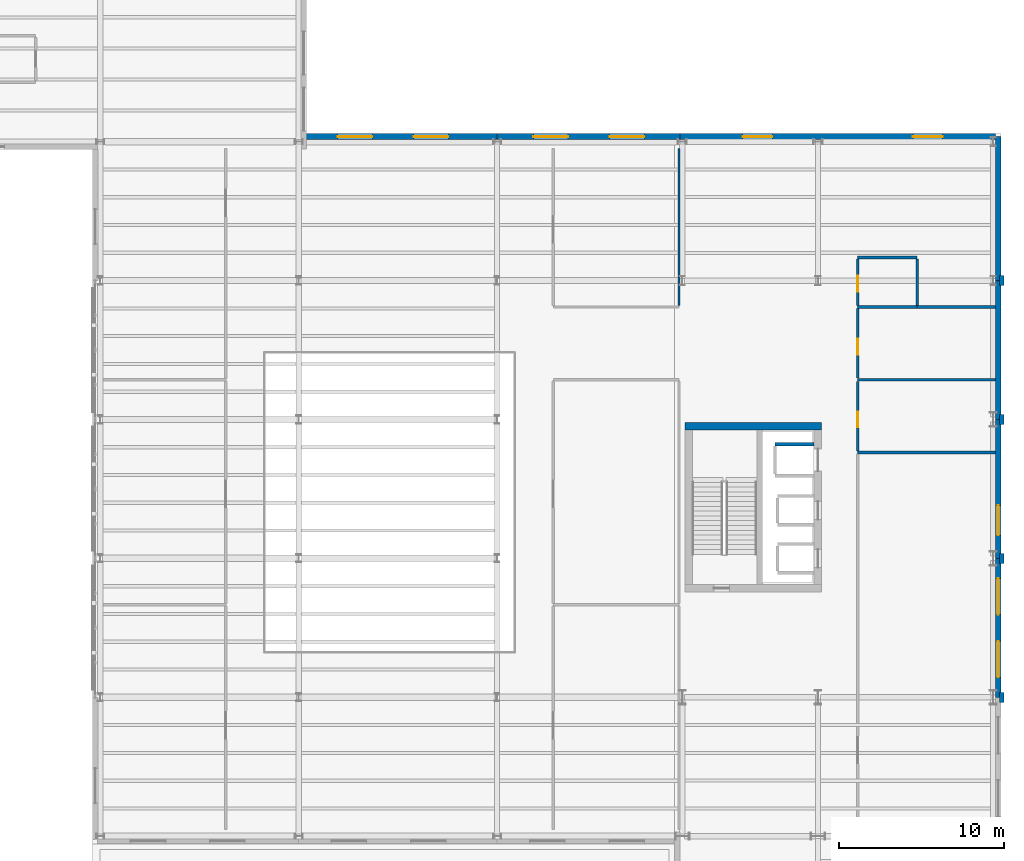
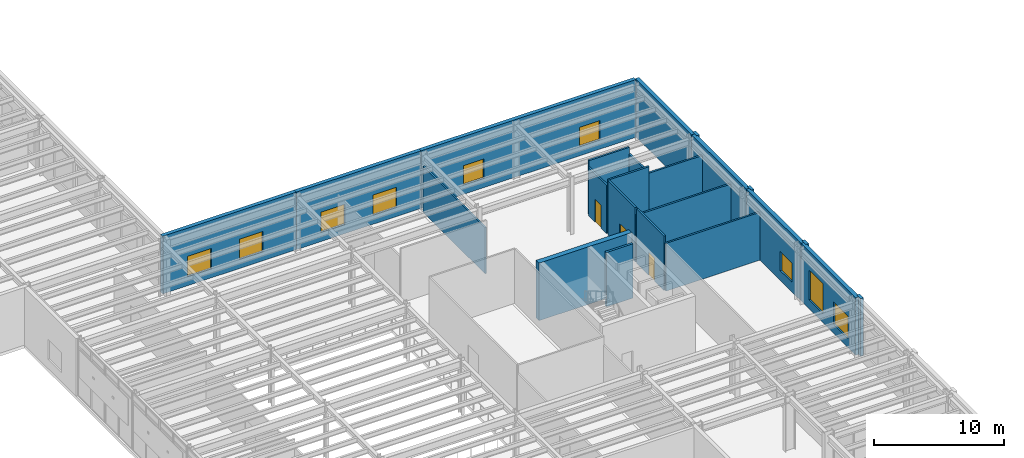
# One storey, part 83 of 98: 23 walls, 9 windows, 3 doors, 12 openings.
"""IFC4 building model written with IfcOpenShell, lengths in metres."""

import ifcopenshell
import ifcopenshell.guid

model = None  # the IFC model being written
_history = None  # IfcOwnerHistory: only IFC2X3 demands one
_inside = {}  # id of a spatial element -> (the spatial element, [elements in it])
_under = {}  # id of a project, library or spatial element -> (it, [spatial elements below it])
_declared = {}  # id of a project -> (the project, [libraries it declares])
_typed = {}  # id of a type object -> (the type object, [elements of that type])
_made_of = {}  # id of a material, layer set ... -> (it, [elements and type objects made of it])


def new_model(schema):
    """Start an empty IFC model of exactly this schema.

    Asked for "IFC4X3", IfcOpenShell would pick the latest addendum, in which some entities
    have other attributes; the version numbers below select the first issue.
    IFC2X3 requires an IfcOwnerHistory on every rooted entity: one is made here for all.
    """
    global model, _history
    if schema == "IFC4X3":
        model = ifcopenshell.file(schema_version=(4, 3, 0, 0))
    else:
        model = ifcopenshell.file(schema=schema)
    _inside.clear()
    _under.clear()
    _declared.clear()
    _typed.clear()
    _made_of.clear()
    _history = None
    if model.schema == "IFC2X3":
        org = make("IfcOrganization", Name="unknown")
        user = make(
            "IfcPersonAndOrganization",
            ThePerson=make("IfcPerson", FamilyName="unknown"),
            TheOrganization=org,
        )
        app = make(
            "IfcApplication",
            ApplicationDeveloper=org,
            Version="unknown",
            ApplicationFullName="unknown",
            ApplicationIdentifier="unknown",
        )
        _history = make(
            "IfcOwnerHistory",
            OwningUser=user,
            OwningApplication=app,
            ChangeAction="ADDED",
            CreationDate=0,
        )
    return model


def make(cls, **values):
    """One entity of the class cls with the attributes given. An attribute that is None is left unset."""
    return model.create_entity(
        cls, **{name: value for name, value in values.items() if value is not None}
    )


def rooted(cls, **values):
    """An entity with a GlobalId (a new one), such as an element, a storey or a relation."""
    return make(cls, GlobalId=ifcopenshell.guid.new(), OwnerHistory=_history, **values)


def si_unit(unit_type, name, prefix=None):
    """IfcSIUnit, for example si_unit("LENGTHUNIT", "METRE", prefix="MILLI")."""
    return make("IfcSIUnit", UnitType=unit_type, Prefix=prefix, Name=name)


def assignment(units):
    """IfcUnitAssignment: the units of a project."""
    return None if units is None else make("IfcUnitAssignment", Units=units)


def point(xyz):
    """IfcCartesianPoint."""
    return None if xyz is None else make("IfcCartesianPoint", Coordinates=xyz)


def direction(xyz):
    """IfcDirection."""
    return None if xyz is None else make("IfcDirection", DirectionRatios=xyz)


def frame(location, z_axis=None, x_axis=None):
    """IfcAxis2Placement3D, a coordinate frame: its origin and axes. An axis left out is left unset."""
    return make(
        "IfcAxis2Placement3D",
        Location=point(location),
        Axis=direction(z_axis),
        RefDirection=direction(x_axis),
    )


def frame_2d(location, x_axis=None):
    """IfcAxis2Placement2D, a coordinate frame in the plane: its origin and x axis."""
    return make(
        "IfcAxis2Placement2D", Location=point(location), RefDirection=direction(x_axis)
    )


def origin():
    """The frame at (0, 0, 0) with its axes left unset."""
    return frame((0.0, 0.0, 0.0))


def place(relative_to, where):
    """IfcLocalPlacement: puts the frame where relative to a parent placement (None: the world)."""
    return make(
        "IfcLocalPlacement", PlacementRelTo=relative_to, RelativePlacement=where
    )


def context(
    kind, dimensions, precision=None, world=None, true_north=None, identifier=None
):
    """IfcGeometricRepresentationContext, for example the 3D "Model" context."""
    return make(
        "IfcGeometricRepresentationContext",
        ContextIdentifier=identifier,
        ContextType=kind,
        CoordinateSpaceDimension=dimensions,
        Precision=precision,
        WorldCoordinateSystem=world,
        TrueNorth=true_north,
    )


def subcontext(parent, identifier, kind, view, scale=None):
    """IfcGeometricRepresentationSubContext, for example "Body" below "Model"."""
    return make(
        "IfcGeometricRepresentationSubContext",
        ContextIdentifier=identifier,
        ContextType=kind,
        ParentContext=parent,
        TargetScale=scale,
        TargetView=view,
    )


def project(units=None, contexts=None):
    """IfcProject with its units and contexts."""
    return rooted(
        "IfcProject",
        Name="project",
        RepresentationContexts=contexts,
        UnitsInContext=assignment(units),
    )


def spatial(cls, under=None, at=None, **own):
    """A site, building, storey or space (cls), placed at a placement, below another one or the project."""
    s = rooted(cls, ObjectPlacement=at, **own)
    if under is not None:
        _under.setdefault(under.id(), (under, []))[1].append(s)
    return s


def profile(cls, at=None, kind="AREA", **sizes):
    """A parametric profile (cls). Its sizes go by their IFC names, for example OverallWidth=200.0."""
    return make(cls, ProfileType=kind, Position=at, **sizes)


def rectangle(**sizes):
    """IfcRectangleProfileDef."""
    return profile("IfcRectangleProfileDef", **sizes)


def extrude(swept, where, along, depth):
    """IfcExtrudedAreaSolid: the profile swept, set in the frame where, extruded along a direction by depth."""
    return make(
        "IfcExtrudedAreaSolid",
        SweptArea=swept,
        Position=where,
        ExtrudedDirection=direction(along),
        Depth=depth,
    )


def shape(context_of_items, identifier, shape_type, items):
    """IfcShapeRepresentation: the items that make up one representation, for example the "Body"."""
    return make(
        "IfcShapeRepresentation",
        ContextOfItems=context_of_items,
        RepresentationIdentifier=identifier,
        RepresentationType=shape_type,
        Items=items,
    )


def material(Name=None, Category=None):
    """IfcMaterial."""
    return make("IfcMaterial", Name=Name, Category=Category)


def layer(
    of_material, thickness, ventilated=None, Name=None, Category=None, Priority=None
):
    """IfcMaterialLayer: one layer of a wall or slab, of a material (None: an air gap)."""
    return make(
        "IfcMaterialLayer",
        Material=of_material,
        LayerThickness=thickness,
        IsVentilated=ventilated,
        Name=Name,
        Category=Category,
        Priority=Priority,
    )


def layer_set(layers, Name=None):
    """IfcMaterialLayerSet."""
    return make("IfcMaterialLayerSet", MaterialLayers=layers, LayerSetName=Name)


def made_of(thing, what):
    """Note that an element or type object is made of a material, layer set ...; save() writes the relation."""
    if what is not None:
        _made_of.setdefault(what.id(), (what, []))[1].append(thing)
    return thing


def type_object(cls, material=None, **own):
    """A type object (cls), such as IfcWallType, which elements share."""
    return made_of(rooted(cls, **own), material)


def element(
    cls,
    number,
    at=None,
    inside=None,
    cuts=None,
    type_object=None,
    material=None,
    context=None,
    identifier="Body",
    shape_type=None,
    held_by="IfcProductDefinitionShape",
    body=None,
    shapes=None,
    **own,
):
    """One element of the class cls, such as IfcWall. Its Tag is "e" and its number.

    at: its placement. inside: the storey or other place that contains it. cuts: it is an
    opening in that element (IfcRelVoidsElement). A single representation is given by context,
    identifier, shape_type and body (its items); several are given by shapes. held_by: the class
    of the entity that holds the representations. save() writes the other relations.
    """
    e = rooted(cls, Tag="e%d" % number, ObjectPlacement=at, **own)
    if body is not None:
        shapes = [shape(context, identifier, shape_type, body)]
    if shapes is not None:
        e.Representation = make(held_by, Representations=shapes)
    if inside is not None:
        _inside.setdefault(inside.id(), (inside, []))[1].append(e)
    if cuts is not None:
        rooted(
            "IfcRelVoidsElement", RelatingBuildingElement=cuts, RelatedOpeningElement=e
        )
    if type_object is not None:
        _typed.setdefault(type_object.id(), (type_object, []))[1].append(e)
    return made_of(e, material)


def fill(opening, filler):
    """IfcRelFillsElement: the door or window that sits in an opening."""
    return rooted(
        "IfcRelFillsElement",
        RelatingOpeningElement=opening,
        RelatedBuildingElement=filler,
    )


def aggregate(whole, parts):
    """IfcRelAggregates: a whole, such as a stair, and the parts it consists of."""
    return rooted("IfcRelAggregates", RelatingObject=whole, RelatedObjects=parts)


def save(model, path):
    """Write the relations noted so far, then the file.

    IfcRelAggregates (storeys below a building ...), IfcRelContainedInSpatialStructure (elements
    in a storey), IfcRelDefinesByType, IfcRelAssociatesMaterial and IfcRelDeclares: one each for
    every whole, place, type object, material and project.
    """
    for whole, parts in _under.values():
        aggregate(whole, parts)
    for where, things in _inside.values():
        rooted(
            "IfcRelContainedInSpatialStructure",
            RelatedElements=things,
            RelatingStructure=where,
        )
    for kind, things in _typed.values():
        rooted("IfcRelDefinesByType", RelatedObjects=things, RelatingType=kind)
    for what, things in _made_of.values():
        rooted("IfcRelAssociatesMaterial", RelatedObjects=things, RelatingMaterial=what)
    for by, libraries in _declared.values():
        rooted("IfcRelDeclares", RelatingContext=by, RelatedDefinitions=libraries)
    model.write(path)


model = new_model("IFC4")

# Units and contexts
model_context = context("Model", 3, precision=1e-05, world=origin(), true_north=direction((0.0, 1.0)))
body_context = subcontext(model_context, "Body", "Model", "MODEL_VIEW")
ifc_project = project(units=[si_unit("LENGTHUNIT", "METRE"), si_unit("AREAUNIT", "SQUARE_METRE"), si_unit("VOLUMEUNIT", "CUBIC_METRE"), si_unit("PLANEANGLEUNIT", "RADIAN"), si_unit("MASSUNIT", "GRAM", prefix="KILO")], contexts=[model_context])

# Site, building, storey
site_placement = place(None, origin())
site = spatial("IfcSite", under=ifc_project, at=site_placement, CompositionType="ELEMENT")
building_placement = place(site_placement, origin())
building = spatial("IfcBuilding", under=site, at=building_placement, Name="Sollismere Congress Hotel", CompositionType="ELEMENT")
storey_placement = place(building_placement, frame((0.0, 0.0, 5.39990234375)))
storey = spatial("IfcBuildingStorey", under=building, at=storey_placement, Name="L01", CompositionType="ELEMENT", Elevation=5.39990234375)

# Wall, openings, windows
ifc_material_1 = material(Name="Colorado Buff Sandstone and Limestone Backup C40/50", Category="masonry")
ifc_layer_1 = layer(ifc_material_1, 0.340087890625, Name="Colorado Buff Sandstone and Limestone Backup C40/50")
ifc_layer_set_1 = layer_set([ifc_layer_1], Name="Colorado Buff Sandstone and Limestone Backup C40/50")
wall_type_1 = type_object("IfcWallType", Name="WL-EXT340", PredefinedType="STANDARD", material=ifc_layer_set_1)
wall_1_placement = place(storey_placement, frame((124.14990234375, 67.110107421875, 0.0), z_axis=(0.0, 0.0, 1.0), x_axis=(1.0, 0.0, 0.0)))
wall_1 = element("IfcWall", 1, at=wall_1_placement, inside=storey, type_object=wall_type_1, Name="Exterior wall EW-L01-210", PredefinedType="STANDARD", context=body_context, shape_type="SweptSolid", body=[
    extrude(rectangle(XDim=11.85009765625, YDim=0.340087890625, at=frame_2d((5.925048828125, 0.0))), origin(), (0.0, 0.0, 1.0), 5.400146484375),
])
opening_1_placement = place(wall_1_placement, frame((2.199951171875, 0.0, 0.85009765625)))
opening_1 = element("IfcOpeningElement", 2, at=opening_1_placement, cuts=wall_1, Name="Opening W-L01-178", PredefinedType="OPENING", context=body_context, shape_type="SweptSolid", body=[
    extrude(rectangle(XDim=2.10009765625, YDim=1.89990234375, at=frame_2d((1.050048828125, 0.949951171875))), frame((0.0, 0.179931640625, 0.0), z_axis=(0.0, -1.0, 0.0), x_axis=(1.0, 0.0, 0.0)), (0.0, 0.0, 1.0), 0.360107421875),
])
opening_2_placement = place(wall_1_placement, frame((6.800048828125, 0.0, 0.85009765625)))
opening_2 = element("IfcOpeningElement", 3, at=opening_2_placement, cuts=wall_1, Name="Opening W-L01-179", PredefinedType="OPENING", context=body_context, shape_type="SweptSolid", body=[
    extrude(rectangle(XDim=2.10009765625, YDim=1.89990234375, at=frame_2d((1.050048828125, 0.949951171875))), frame((0.0, 0.179931640625, 0.0), z_axis=(0.0, -1.0, 0.0), x_axis=(1.0, 0.0, 0.0)), (0.0, 0.0, 1.0), 0.360107421875),
])
ifc_material_2 = material(Name="Thermally Broken Bronze Aluminum & Low-E Glass", Category="aluminium")
window_type_1 = type_object("IfcWindowType", Name="WN-P210x190", PartitioningType="SINGLE_PANEL", PredefinedType="WINDOW", material=ifc_material_2)
window_1_placement = place(opening_1_placement, origin())
window_1 = element("IfcWindow", 4, at=window_1_placement, inside=storey, type_object=window_type_1, Name="WIN-W-L01-178", OverallHeight=1.89990234375, OverallWidth=2.10009765625, PartitioningType="SINGLE_PANEL", PredefinedType="WINDOW", context=body_context, shape_type="SweptSolid", body=[
    extrude(rectangle(XDim=2.10009765625, YDim=1.89990234375, at=frame_2d((1.050048828125, 0.949951171875))), frame((0.0, 0.030029296875, 0.0), z_axis=(0.0, -1.0, 0.0), x_axis=(1.0, 0.0, 0.0)), (0.0, 0.0, 1.0), 0.06005859375),
])
fill(opening_1, window_1)
window_2_placement = place(opening_2_placement, origin())
window_2 = element("IfcWindow", 5, at=window_2_placement, inside=storey, type_object=window_type_1, Name="WIN-W-L01-179", OverallHeight=1.89990234375, OverallWidth=2.10009765625, PartitioningType="SINGLE_PANEL", PredefinedType="WINDOW", context=body_context, shape_type="SweptSolid", body=[
    extrude(rectangle(XDim=2.10009765625, YDim=1.89990234375, at=frame_2d((1.050048828125, 0.949951171875))), frame((0.0, 0.030029296875, 0.0), z_axis=(0.0, -1.0, 0.0), x_axis=(1.0, 0.0, 0.0)), (0.0, 0.0, 1.0), 0.06005859375),
])
fill(opening_2, window_2)

wall_2_placement = place(storey_placement, frame((136.0, 67.110107421875, 0.0), z_axis=(0.0, 0.0, 1.0), x_axis=(1.0, 0.0, 0.0)))
wall_2 = element("IfcWall", 6, at=wall_2_placement, inside=storey, type_object=wall_type_1, Name="Exterior wall EW-L01-211", PredefinedType="STANDARD", context=body_context, shape_type="SweptSolid", body=[
    extrude(rectangle(XDim=11.050048828125, YDim=0.340087890625, at=frame_2d((5.52490234375, 0.0))), origin(), (0.0, 0.0, 1.0), 5.400146484375),
])
opening_3_placement = place(wall_2_placement, frame((2.199951171875, 0.0, 0.85009765625)))
opening_3 = element("IfcOpeningElement", 7, at=opening_3_placement, cuts=wall_2, Name="Opening W-L01-180", PredefinedType="OPENING", context=body_context, shape_type="SweptSolid", body=[
    extrude(rectangle(XDim=2.10009765625, YDim=1.89990234375, at=frame_2d((1.050048828125, 0.949951171875))), frame((0.0, 0.179931640625, 0.0), z_axis=(0.0, -1.0, 0.0), x_axis=(1.0, 0.0, 0.0)), (0.0, 0.0, 1.0), 0.360107421875),
])
opening_4_placement = place(wall_2_placement, frame((6.800048828125, 0.0, 0.85009765625)))
opening_4 = element("IfcOpeningElement", 8, at=opening_4_placement, cuts=wall_2, Name="Opening W-L01-181", PredefinedType="OPENING", context=body_context, shape_type="SweptSolid", body=[
    extrude(rectangle(XDim=2.10009765625, YDim=1.89990234375, at=frame_2d((1.050048828125, 0.949951171875))), frame((0.0, 0.179931640625, 0.0), z_axis=(0.0, -1.0, 0.0), x_axis=(1.0, 0.0, 0.0)), (0.0, 0.0, 1.0), 0.360107421875),
])
window_3_placement = place(opening_3_placement, origin())
window_3 = element("IfcWindow", 9, at=window_3_placement, inside=storey, type_object=window_type_1, Name="WIN-W-L01-180", OverallHeight=1.89990234375, OverallWidth=2.10009765625, PartitioningType="SINGLE_PANEL", PredefinedType="WINDOW", context=body_context, shape_type="SweptSolid", body=[
    extrude(rectangle(XDim=2.10009765625, YDim=1.89990234375, at=frame_2d((1.050048828125, 0.949951171875))), frame((0.0, 0.030029296875, 0.0), z_axis=(0.0, -1.0, 0.0), x_axis=(1.0, 0.0, 0.0)), (0.0, 0.0, 1.0), 0.06005859375),
])
fill(opening_3, window_3)
window_4_placement = place(opening_4_placement, origin())
window_4 = element("IfcWindow", 10, at=window_4_placement, inside=storey, type_object=window_type_1, Name="WIN-W-L01-181", OverallHeight=1.89990234375, OverallWidth=2.10009765625, PartitioningType="SINGLE_PANEL", PredefinedType="WINDOW", context=body_context, shape_type="SweptSolid", body=[
    extrude(rectangle(XDim=2.10009765625, YDim=1.89990234375, at=frame_2d((1.050048828125, 0.949951171875))), frame((0.0, 0.030029296875, 0.0), z_axis=(0.0, -1.0, 0.0), x_axis=(1.0, 0.0, 0.0)), (0.0, 0.0, 1.0), 0.06005859375),
])
fill(opening_4, window_4)

wall_3_placement = place(storey_placement, frame((166.31005859375, 33.199951171875, 0.0), z_axis=(0.0, 0.0, 1.0), x_axis=(0.0, 1.0, 0.0)))
wall_3 = element("IfcWall", 11, at=wall_3_placement, inside=storey, type_object=wall_type_1, Name="Exterior wall EW-L01-303", PredefinedType="STANDARD", context=body_context, shape_type="SweptSolid", body=[
    extrude(rectangle(XDim=8.400146484375, YDim=0.340087890625, at=frame_2d((4.2001953125, 0.0))), origin(), (0.0, 0.0, 1.0), 5.400146484375),
])
opening_5_placement = place(wall_3_placement, frame((1.199951171875, 0.0, 0.85009765625)))
opening_5 = element("IfcOpeningElement", 12, at=opening_5_placement, cuts=wall_3, Name="Opening W-L01-247", PredefinedType="OPENING", context=body_context, shape_type="SweptSolid", body=[
    extrude(rectangle(XDim=2.199951171875, YDim=2.10009765625, at=frame_2d((1.10009765625, 1.050048828125))), frame((0.0, 0.179931640625, 0.0), z_axis=(0.0, -1.0, 0.0), x_axis=(1.0, 0.0, 0.0)), (0.0, 0.0, 1.0), 0.360107421875),
])
opening_6_placement = place(wall_3_placement, frame((5.0, 0.0, 0.85009765625)))
opening_6 = element("IfcOpeningElement", 13, at=opening_6_placement, cuts=wall_3, Name="Opening W-L01-248", PredefinedType="OPENING", context=body_context, shape_type="SweptSolid", body=[
    extrude(rectangle(XDim=2.199951171875, YDim=2.800048828125, at=frame_2d((1.10009765625, 1.39990234375))), frame((0.0, 0.179931640625, 0.0), z_axis=(0.0, -1.0, 0.0), x_axis=(1.0, 0.0, 0.0)), (0.0, 0.0, 1.0), 0.360107421875),
])
window_type_2 = type_object("IfcWindowType", Name="WN-A220x280", PartitioningType="SINGLE_PANEL", PredefinedType="WINDOW", material=ifc_material_2)
window_5_placement = place(opening_6_placement, origin())
window_5 = element("IfcWindow", 14, at=window_5_placement, inside=storey, type_object=window_type_2, Name="WIN-W-L01-248", OverallHeight=2.800048828125, OverallWidth=2.199951171875, PartitioningType="SINGLE_PANEL", PredefinedType="WINDOW", context=body_context, shape_type="SweptSolid", body=[
    extrude(rectangle(XDim=2.199951171875, YDim=2.800048828125, at=frame_2d((1.10009765625, 1.39990234375))), frame((0.0, 0.030029296875, 0.0), z_axis=(0.0, -1.0, 0.0), x_axis=(1.0, 0.0, 0.0)), (0.0, 0.0, 1.0), 0.06005859375),
])
fill(opening_6, window_5)
window_type_3 = type_object("IfcWindowType", Name="WN-CK220", PartitioningType="SINGLE_PANEL", PredefinedType="WINDOW", material=ifc_material_2)
window_6_placement = place(opening_5_placement, origin())
window_6 = element("IfcWindow", 15, at=window_6_placement, inside=storey, type_object=window_type_3, Name="WIN-W-L01-247", OverallHeight=2.10009765625, OverallWidth=2.199951171875, PartitioningType="SINGLE_PANEL", PredefinedType="WINDOW", context=body_context, shape_type="SweptSolid", body=[
    extrude(rectangle(XDim=2.199951171875, YDim=2.10009765625, at=frame_2d((1.10009765625, 1.050048828125))), frame((0.0, 0.030029296875, 0.0), z_axis=(0.0, -1.0, 0.0), x_axis=(1.0, 0.0, 0.0)), (0.0, 0.0, 1.0), 0.06005859375),
])
fill(opening_5, window_6)

# Wall, opening, window
wall_4_placement = place(storey_placement, frame((166.31005859375, 41.60009765625, 0.0), z_axis=(0.0, 0.0, 1.0), x_axis=(0.0, 1.0, 0.0)))
wall_4 = element("IfcWall", 16, at=wall_4_placement, inside=storey, type_object=wall_type_1, Name="Exterior wall EW-L01-305", PredefinedType="STANDARD", context=body_context, shape_type="SweptSolid", body=[
    extrude(rectangle(XDim=8.39990234375, YDim=0.340087890625, at=frame_2d((4.199951171875, 0.0))), origin(), (0.0, 0.0, 1.0), 5.400146484375),
])
opening_7_placement = place(wall_4_placement, frame((1.39990234375, 0.0, 0.89990234375)))
opening_7 = element("IfcOpeningElement", 17, at=opening_7_placement, cuts=wall_4, Name="Opening W-L01-249", PredefinedType="OPENING", context=body_context, shape_type="SweptSolid", body=[
    extrude(rectangle(XDim=1.800048828125, YDim=1.800048828125, at=frame_2d((0.89990234375, 0.89990234375))), frame((0.0, 0.179931640625, 0.0), z_axis=(0.0, -1.0, 0.0), x_axis=(1.0, 0.0, 0.0)), (0.0, 0.0, 1.0), 0.360107421875),
])
window_type_4 = type_object("IfcWindowType", Name="WN-P180x180", PartitioningType="SINGLE_PANEL", PredefinedType="WINDOW", material=ifc_material_2)
window_7_placement = place(opening_7_placement, origin())
window_7 = element("IfcWindow", 18, at=window_7_placement, inside=storey, type_object=window_type_4, Name="WIN-W-L01-249", OverallHeight=1.800048828125, OverallWidth=1.800048828125, PartitioningType="SINGLE_PANEL", PredefinedType="WINDOW", context=body_context, shape_type="SweptSolid", body=[
    extrude(rectangle(XDim=1.800048828125, YDim=1.800048828125, at=frame_2d((0.89990234375, 0.89990234375))), frame((0.0, 0.030029296875, 0.0), z_axis=(0.0, -1.0, 0.0), x_axis=(1.0, 0.0, 0.0)), (0.0, 0.0, 1.0), 0.06005859375),
])
fill(opening_7, window_7)

# Walls
wall_5_placement = place(storey_placement, frame((166.31005859375, 50.0, 0.0), z_axis=(0.0, 0.0, 1.0), x_axis=(0.0, 1.0, 0.0)))
element("IfcWall", 19, at=wall_5_placement, inside=storey, type_object=wall_type_1, Name="Exterior wall EW-L01-307", PredefinedType="STANDARD", context=body_context, shape_type="SweptSolid", body=[
    extrude(rectangle(XDim=8.39990234375, YDim=0.340087890625, at=frame_2d((4.199951171875, 0.0))), origin(), (0.0, 0.0, 1.0), 5.400146484375),
])
wall_6_placement = place(storey_placement, frame((166.31005859375, 58.39990234375, 0.0), z_axis=(0.0, 0.0, 1.0), x_axis=(0.0, 1.0, 0.0)))
element("IfcWall", 20, at=wall_6_placement, inside=storey, type_object=wall_type_1, Name="Exterior wall EW-L01-309", PredefinedType="STANDARD", context=body_context, shape_type="SweptSolid", body=[
    extrude(rectangle(XDim=8.710205078125, YDim=0.340087890625, at=frame_2d((4.35498046875, 0.0))), origin(), (0.0, 0.0, 1.0), 5.400146484375),
])

# Wall, openings, windows
wall_7_placement = place(storey_placement, frame((166.137939453125, 67.110107421875, 0.0), z_axis=(0.0, 0.0, 1.0), x_axis=(-1.0, 0.0, 0.0)))
wall_7 = element("IfcWall", 21, at=wall_7_placement, inside=storey, type_object=wall_type_1, Name="Exterior wall EW-L01-325", PredefinedType="STANDARD", context=body_context, shape_type="SweptSolid", body=[
    extrude(rectangle(XDim=19.087890625, YDim=0.340087890625, at=frame_2d((9.5439453125, 0.0))), origin(), (0.0, 0.0, 1.0), 5.400146484375),
])
opening_8_placement = place(wall_7_placement, frame((3.199951171875, 0.0, 0.8798828125)))
opening_8 = element("IfcOpeningElement", 22, at=opening_8_placement, cuts=wall_7, Name="Opening W-L01-260", PredefinedType="OPENING", context=body_context, shape_type="SweptSolid", body=[
    extrude(rectangle(XDim=1.800048828125, YDim=1.800048828125, at=frame_2d((0.89990234375, 0.89990234375))), frame((0.0, 0.179931640625, 0.0), z_axis=(0.0, -1.0, 0.0), x_axis=(1.0, 0.0, 0.0)), (0.0, 0.0, 1.0), 0.360107421875),
])
opening_9_placement = place(wall_7_placement, frame((13.5, 0.0, 0.8798828125)))
opening_9 = element("IfcOpeningElement", 23, at=opening_9_placement, cuts=wall_7, Name="Opening W-L01-261", PredefinedType="OPENING", context=body_context, shape_type="SweptSolid", body=[
    extrude(rectangle(XDim=1.800048828125, YDim=1.800048828125, at=frame_2d((0.89990234375, 0.89990234375))), frame((0.0, 0.179931640625, 0.0), z_axis=(0.0, -1.0, 0.0), x_axis=(1.0, 0.0, 0.0)), (0.0, 0.0, 1.0), 0.360107421875),
])
window_8_placement = place(opening_8_placement, origin())
window_8 = element("IfcWindow", 24, at=window_8_placement, inside=storey, type_object=window_type_4, Name="WIN-W-L01-260", OverallHeight=1.800048828125, OverallWidth=1.800048828125, PartitioningType="SINGLE_PANEL", PredefinedType="WINDOW", context=body_context, shape_type="SweptSolid", body=[
    extrude(rectangle(XDim=1.800048828125, YDim=1.800048828125, at=frame_2d((0.89990234375, 0.89990234375))), frame((0.0, 0.030029296875, 0.0), z_axis=(0.0, -1.0, 0.0), x_axis=(1.0, 0.0, 0.0)), (0.0, 0.0, 1.0), 0.06005859375),
])
fill(opening_8, window_8)
window_9_placement = place(opening_9_placement, origin())
window_9 = element("IfcWindow", 25, at=window_9_placement, inside=storey, type_object=window_type_4, Name="WIN-W-L01-261", OverallHeight=1.800048828125, OverallWidth=1.800048828125, PartitioningType="SINGLE_PANEL", PredefinedType="WINDOW", context=body_context, shape_type="SweptSolid", body=[
    extrude(rectangle(XDim=1.800048828125, YDim=1.800048828125, at=frame_2d((0.89990234375, 0.89990234375))), frame((0.0, 0.030029296875, 0.0), z_axis=(0.0, -1.0, 0.0), x_axis=(1.0, 0.0, 0.0)), (0.0, 0.0, 1.0), 0.06005859375),
])
fill(opening_9, window_9)

# Walls
ifc_material_3 = material(Name="Carved Travertine Pilaster & Frieze Assembly", Category="masonry")
ifc_layer_2 = layer(ifc_material_3, 0.260009765625, Name="Carved Travertine Pilaster & Frieze Assembly")
ifc_layer_set_2 = layer_set([ifc_layer_2], Name="Carved Travertine Pilaster & Frieze Assembly")
wall_type_2 = type_object("IfcWallType", Name="WL-PIL280", PredefinedType="ELEMENTEDWALL", material=ifc_layer_set_2)
wall_8_placement = place(storey_placement, frame((166.52001953125, 32.89990234375, 0.0), z_axis=(0.0, 0.0, 1.0), x_axis=(0.0, 1.0, 0.0)))
element("IfcWall", 26, at=wall_8_placement, inside=storey, type_object=wall_type_2, Name="Exterior wall EW-L01-304", PredefinedType="ELEMENTEDWALL", context=body_context, shape_type="SweptSolid", body=[
    extrude(rectangle(XDim=0.60009765625, YDim=0.260009765625, at=frame_2d((0.300048828125, 0.0))), origin(), (0.0, 0.0, 1.0), 5.400146484375),
])
wall_9_placement = place(storey_placement, frame((166.52001953125, 41.300048828125, 0.0), z_axis=(0.0, 0.0, 1.0), x_axis=(0.0, 1.0, 0.0)))
element("IfcWall", 27, at=wall_9_placement, inside=storey, type_object=wall_type_2, Name="Exterior wall EW-L01-306", PredefinedType="ELEMENTEDWALL", context=body_context, shape_type="SweptSolid", body=[
    extrude(rectangle(XDim=0.599853515625, YDim=0.260009765625, at=frame_2d((0.2998046875, 0.0))), origin(), (0.0, 0.0, 1.0), 5.400146484375),
])
wall_10_placement = place(storey_placement, frame((166.52001953125, 49.699951171875, 0.0), z_axis=(0.0, 0.0, 1.0), x_axis=(0.0, 1.0, 0.0)))
element("IfcWall", 28, at=wall_10_placement, inside=storey, type_object=wall_type_2, Name="Exterior wall EW-L01-308", PredefinedType="ELEMENTEDWALL", context=body_context, shape_type="SweptSolid", body=[
    extrude(rectangle(XDim=0.60009765625, YDim=0.260009765625, at=frame_2d((0.300048828125, 0.0))), origin(), (0.0, 0.0, 1.0), 5.400146484375),
])
wall_11_placement = place(storey_placement, frame((166.52001953125, 58.10009765625, 0.0), z_axis=(0.0, 0.0, 1.0), x_axis=(0.0, 1.0, 0.0)))
element("IfcWall", 29, at=wall_11_placement, inside=storey, type_object=wall_type_2, Name="Exterior wall EW-L01-310", PredefinedType="ELEMENTEDWALL", context=body_context, shape_type="SweptSolid", body=[
    extrude(rectangle(XDim=0.599853515625, YDim=0.260009765625, at=frame_2d((0.2998046875, 0.0))), origin(), (0.0, 0.0, 1.0), 5.400146484375),
])
ifc_material_4 = material(Name="Moisture-Resistant Shaft Gypsum Assembly")
ifc_layer_3 = layer(ifc_material_4, 0.199951171875, Name="Moisture-Resistant Shaft Gypsum Assembly")
ifc_layer_set_3 = layer_set([ifc_layer_3], Name="Moisture-Resistant Shaft Gypsum Assembly")
wall_type_3 = type_object("IfcWallType", Name="WL-PLM200", PredefinedType="PLUMBINGWALL", material=ifc_layer_set_3)
wall_12_placement = place(storey_placement, frame((152.800048828125, 48.4951171875, 0.0), z_axis=(0.0, 0.0, 1.0), x_axis=(1.0, 0.0, 0.0)))
element("IfcWall", 30, at=wall_12_placement, inside=storey, type_object=wall_type_3, Name="Interior wall IW-L01-0418", PredefinedType="PLUMBINGWALL", context=body_context, shape_type="SweptSolid", body=[
    extrude(rectangle(XDim=2.363037109375, YDim=0.199951171875, at=frame_2d((1.181640625, 0.0))), origin(), (0.0, 0.0, 1.0), 5.09521484375),
])
ifc_material_5 = material(Name="Fire-Rated Gypsum Partition")
ifc_layer_4 = layer(ifc_material_5, 0.139892578125, Name="Fire-Rated Gypsum Partition")
ifc_layer_set_4 = layer_set([ifc_layer_4], Name="Fire-Rated Gypsum Partition")
wall_type_4 = type_object("IfcWallType", Name="WL-PRT140R", PredefinedType="PARTITIONING", material=ifc_layer_set_4)
wall_13_placement = place(storey_placement, frame((147.0, 56.882080078125, 0.0), z_axis=(0.0, 0.0, 1.0), x_axis=(0.0, 1.0, 0.0)))
element("IfcWall", 31, at=wall_13_placement, inside=storey, type_object=wall_type_4, Name="Interior wall IW-L01-0931", PredefinedType="PARTITIONING", context=body_context, shape_type="SweptSolid", body=[
    extrude(rectangle(XDim=9.517822265625, YDim=0.139892578125, at=frame_2d((4.7587890625, 0.0))), origin(), (0.0, 0.0, 1.0), 4.3330078125),
])
ifc_material_6 = material(Name="Fire-Rated Acoustic Gypsum Partition")
ifc_layer_5 = layer(ifc_material_6, 0.1650390625, Name="Fire-Rated Acoustic Gypsum Partition")
ifc_layer_set_5 = layer_set([ifc_layer_5], Name="Fire-Rated Acoustic Gypsum Partition")
wall_type_5 = type_object("IfcWallType", Name="WL-PRT165R", PredefinedType="PARTITIONING", material=ifc_layer_set_5)
for number, where, z_axis, x_axis, name in (
    (32, (157.800048828125, 48.0, 0.0), (0.0, 0.0, 1.0), (1.0, 0.0, 0.0), "Interior wall IW-L01-0856"),
    (33, (157.800048828125, 52.39990234375, 0.0), (0.0, 0.0, 1.0), (1.0, 0.0, 0.0), "Interior wall IW-L01-0859"),
):
    element("IfcWall", number, at=place(storey_placement, frame(where, z_axis=z_axis, x_axis=x_axis)), inside=storey, type_object=wall_type_5, Name=name, PredefinedType="PARTITIONING", context=body_context, shape_type="SweptSolid", body=[
        extrude(rectangle(XDim=8.324951171875, YDim=0.1650390625, at=frame_2d((4.16259765625, 0.0))), origin(), (0.0, 0.0, 1.0), 4.485107421875),
    ])
wall_14_placement = place(storey_placement, frame((157.800048828125, 56.800048828125, 0.0), z_axis=(0.0, 0.0, 1.0), x_axis=(1.0, 0.0, 0.0)))
element("IfcWall", 34, at=wall_14_placement, inside=storey, type_object=wall_type_5, Name="Interior wall IW-L01-0861", PredefinedType="PARTITIONING", context=body_context, shape_type="SweptSolid", body=[
    extrude(rectangle(XDim=3.599853515625, YDim=0.1650390625, at=frame_2d((1.7998046875, 0.0))), origin(), (0.0, 0.0, 1.0), 5.09521484375),
])
wall_15_placement = place(storey_placement, frame((161.39990234375, 56.800048828125, 0.0), z_axis=(0.0, 0.0, 1.0), x_axis=(1.0, 0.0, 0.0)))
element("IfcWall", 35, at=wall_15_placement, inside=storey, type_object=wall_type_5, Name="Interior wall IW-L01-0862", PredefinedType="PARTITIONING", context=body_context, shape_type="SweptSolid", body=[
    extrude(rectangle(XDim=4.72509765625, YDim=0.1650390625, at=frame_2d((2.362548828125, 0.0))), origin(), (0.0, 0.0, 1.0), 4.485107421875),
])
wall_16_placement = place(storey_placement, frame((157.800048828125, 59.800048828125, 0.0), z_axis=(0.0, 0.0, 1.0), x_axis=(1.0, 0.0, 0.0)))
element("IfcWall", 36, at=wall_16_placement, inside=storey, type_object=wall_type_5, Name="Interior wall IW-L01-0863", PredefinedType="PARTITIONING", context=body_context, shape_type="SweptSolid", body=[
    extrude(rectangle(XDim=3.599853515625, YDim=0.1650390625, at=frame_2d((1.7998046875, 0.0))), origin(), (0.0, 0.0, 1.0), 5.09521484375),
])

# Wall, opening, door
wall_17_placement = place(storey_placement, frame((157.800048828125, 48.094482421875, 0.0), z_axis=(0.0, 0.0, 1.0), x_axis=(0.0, 1.0, 0.0)))
wall_17 = element("IfcWall", 37, at=wall_17_placement, inside=storey, type_object=wall_type_5, Name="Interior wall IW-L01-0933", PredefinedType="PARTITIONING", context=body_context, shape_type="SweptSolid", body=[
    extrude(rectangle(XDim=4.2109375, YDim=0.1650390625, at=frame_2d((2.10546875, 0.0))), origin(), (0.0, 0.0, 1.0), 5.09521484375),
])
opening_10_placement = place(wall_17_placement, frame((1.426025390625, 0.0, 0.0)))
opening_10 = element("IfcOpeningElement", 38, at=opening_10_placement, cuts=wall_17, Name="Opening D-L01-0325", PredefinedType="OPENING", context=body_context, shape_type="SweptSolid", body=[
    extrude(rectangle(XDim=0.9599609375, YDim=2.14990234375, at=frame_2d((0.47998046875, 1.074951171875))), frame((0.0, 0.092529296875, 0.0), z_axis=(0.0, -1.0, 0.0), x_axis=(1.0, 0.0, 0.0)), (0.0, 0.0, 1.0), 0.18505859375),
])
ifc_material_7 = material(Name="Fire-Rated Accessible Restroom Door")
door_type = type_object("IfcDoorType", Name="DR-AWC01", OperationType="NOTDEFINED", PredefinedType="DOOR", material=ifc_material_7)
door_1_placement = place(opening_10_placement, origin())
door_1 = element("IfcDoor", 39, at=door_1_placement, inside=storey, type_object=door_type, Name="Interior door D-L01-0325", OperationType="SINGLE_SWING_LEFT", OverallHeight=2.14990234375, OverallWidth=0.9599609375, PredefinedType="DOOR", context=body_context, shape_type="SweptSolid", body=[
    extrude(rectangle(XDim=0.9599609375, YDim=2.14990234375, at=frame_2d((0.47998046875, 1.074951171875))), frame((0.0, 0.02490234375, 0.0), z_axis=(0.0, -1.0, 0.0), x_axis=(1.0, 0.0, 0.0)), (0.0, 0.0, 1.0), 0.050048828125),
])
fill(opening_10, door_1)

wall_18_placement = place(storey_placement, frame((157.800048828125, 52.494384765625, 0.0), z_axis=(0.0, 0.0, 1.0), x_axis=(0.0, 1.0, 0.0)))
wall_18 = element("IfcWall", 40, at=wall_18_placement, inside=storey, type_object=wall_type_5, Name="Interior wall IW-L01-0934", PredefinedType="PARTITIONING", context=body_context, shape_type="SweptSolid", body=[
    extrude(rectangle(XDim=4.211181640625, YDim=0.1650390625, at=frame_2d((2.10546875, 0.0))), origin(), (0.0, 0.0, 1.0), 5.09521484375),
])
opening_11_placement = place(wall_18_placement, frame((1.425048828125, 0.0, 0.0)))
opening_11 = element("IfcOpeningElement", 41, at=opening_11_placement, cuts=wall_18, Name="Opening D-L01-0326", PredefinedType="OPENING", context=body_context, shape_type="SweptSolid", body=[
    extrude(rectangle(XDim=0.9599609375, YDim=2.14990234375, at=frame_2d((0.47998046875, 1.074951171875))), frame((0.0, 0.092529296875, 0.0), z_axis=(0.0, -1.0, 0.0), x_axis=(1.0, 0.0, 0.0)), (0.0, 0.0, 1.0), 0.18505859375),
])
door_2_placement = place(opening_11_placement, origin())
door_2 = element("IfcDoor", 42, at=door_2_placement, inside=storey, type_object=door_type, Name="Interior door D-L01-0326", OperationType="SINGLE_SWING_RIGHT", OverallHeight=2.14990234375, OverallWidth=0.9599609375, PredefinedType="DOOR", context=body_context, shape_type="SweptSolid", body=[
    extrude(rectangle(XDim=0.9599609375, YDim=2.14990234375, at=frame_2d((0.47998046875, 1.074951171875))), frame((0.0, 0.02490234375, 0.0), z_axis=(0.0, -1.0, 0.0), x_axis=(1.0, 0.0, 0.0)), (0.0, 0.0, 1.0), 0.050048828125),
])
fill(opening_11, door_2)

wall_19_placement = place(storey_placement, frame((157.800048828125, 56.89453125, 0.0), z_axis=(0.0, 0.0, 1.0), x_axis=(0.0, 1.0, 0.0)))
wall_19 = element("IfcWall", 43, at=wall_19_placement, inside=storey, type_object=wall_type_5, Name="Interior wall IW-L01-0935", PredefinedType="PARTITIONING", context=body_context, shape_type="SweptSolid", body=[
    extrude(rectangle(XDim=2.81103515625, YDim=0.1650390625, at=frame_2d((1.405517578125, 0.0))), origin(), (0.0, 0.0, 1.0), 4.508056640625),
])
opening_12_placement = place(wall_19_placement, frame((0.825927734375, 0.0, 0.0)))
opening_12 = element("IfcOpeningElement", 44, at=opening_12_placement, cuts=wall_19, Name="Opening D-L01-0327", PredefinedType="OPENING", context=body_context, shape_type="SweptSolid", body=[
    extrude(rectangle(XDim=0.9599609375, YDim=2.14990234375, at=frame_2d((0.47998046875, 1.074951171875))), frame((0.0, 0.092529296875, 0.0), z_axis=(0.0, -1.0, 0.0), x_axis=(1.0, 0.0, 0.0)), (0.0, 0.0, 1.0), 0.18505859375),
])
door_3_placement = place(opening_12_placement, origin())
door_3 = element("IfcDoor", 45, at=door_3_placement, inside=storey, type_object=door_type, Name="Interior door D-L01-0327", OperationType="SINGLE_SWING_LEFT", OverallHeight=2.14990234375, OverallWidth=0.9599609375, PredefinedType="DOOR", context=body_context, shape_type="SweptSolid", body=[
    extrude(rectangle(XDim=0.9599609375, YDim=2.14990234375, at=frame_2d((0.47998046875, 1.074951171875))), frame((0.0, 0.02490234375, 0.0), z_axis=(0.0, -1.0, 0.0), x_axis=(1.0, 0.0, 0.0)), (0.0, 0.0, 1.0), 0.050048828125),
])
fill(opening_12, door_3)

# Walls
wall_20_placement = place(storey_placement, frame((161.39990234375, 56.89453125, 0.0), z_axis=(0.0, 0.0, 1.0), x_axis=(0.0, 1.0, 0.0)))
element("IfcWall", 46, at=wall_20_placement, inside=storey, type_object=wall_type_5, Name="Interior wall IW-L01-0936", PredefinedType="PARTITIONING", context=body_context, shape_type="SweptSolid", body=[
    extrude(rectangle(XDim=2.81103515625, YDim=0.1650390625, at=frame_2d((1.405517578125, 0.0))), origin(), (0.0, 0.0, 1.0), 4.508056640625),
])
ifc_material_8 = material(Name="Concrete C50/60", Category="concrete")
ifc_layer_6 = layer(ifc_material_8, 0.449951171875, Name="Concrete C50/60")
ifc_layer_set_6 = layer_set([ifc_layer_6], Name="Concrete C50/60")
wall_type_6 = type_object("IfcWallType", Name="WL-SHR450", PredefinedType="SHEAR", material=ifc_layer_set_6)
wall_21_placement = place(storey_placement, frame((155.625, 49.60009765625, 0.0), z_axis=(0.0, 0.0, 1.0), x_axis=(-1.0, 0.0, 0.0)))
element("IfcWall", 47, at=wall_21_placement, inside=storey, type_object=wall_type_6, Name="Interior wall IW-L01-0407", PredefinedType="SHEAR", context=body_context, shape_type="SweptSolid", body=[
    extrude(rectangle(XDim=8.25, YDim=0.449951171875, at=frame_2d((4.125, 0.0))), origin(), (0.0, 0.0, 1.0), 5.400146484375),
])

save(model, "model.ifc")
